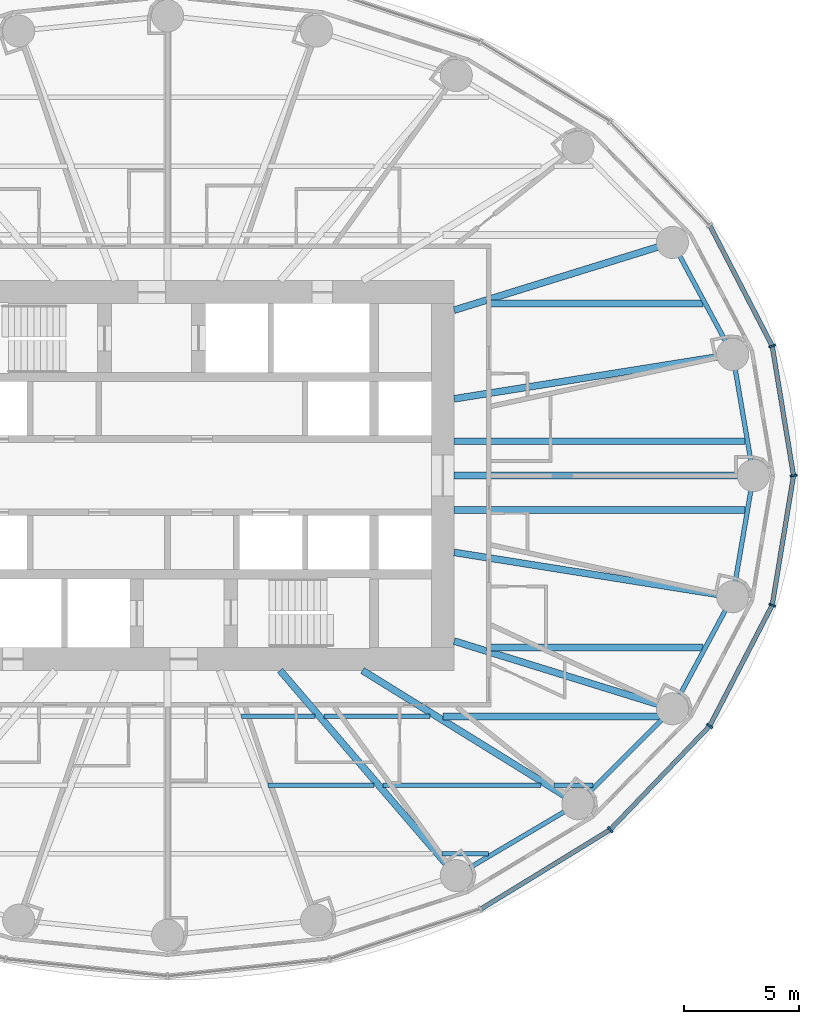
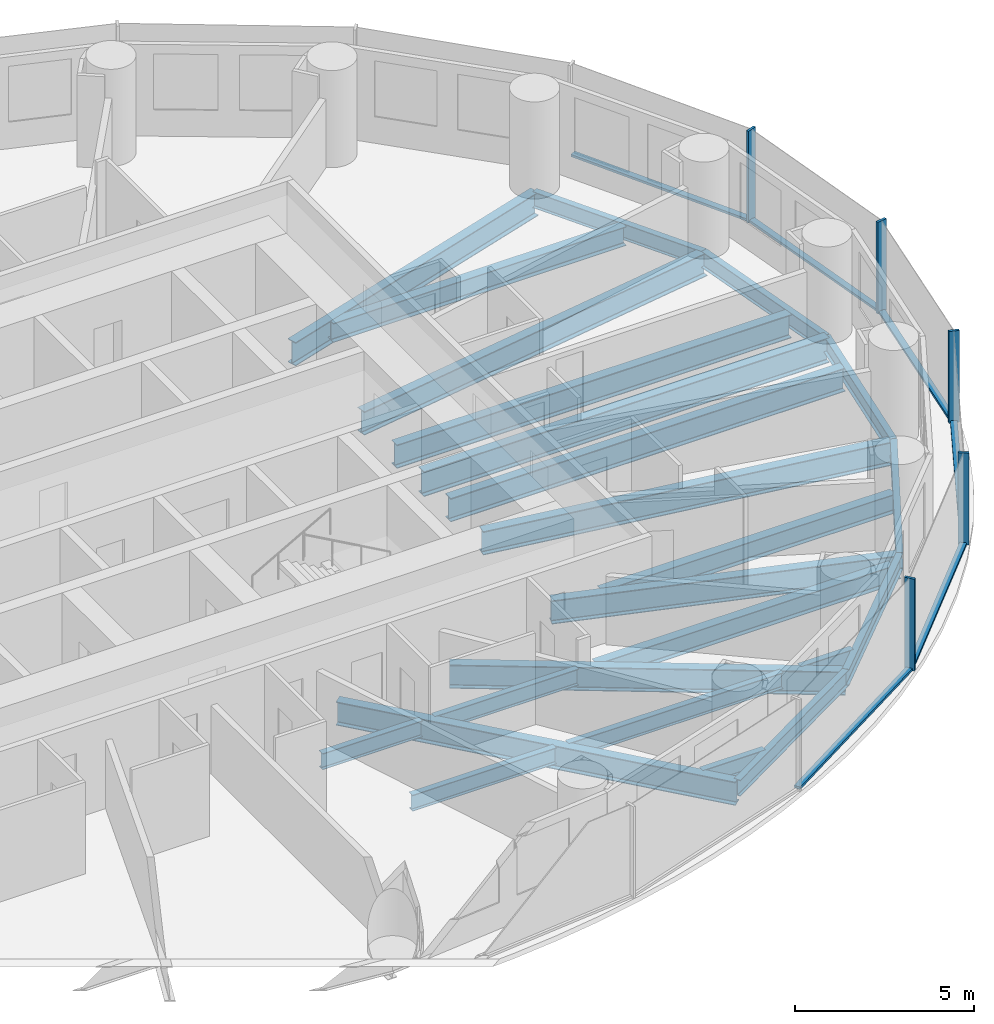
# One storey, part 3 of 14: 24 beams, 11 members, 2 elements without a shape of their own.
"""IFC4 building model written with IfcOpenShell, lengths in metres."""

from ifc_helpers import new_model, si_unit, direction, frame, origin, origin_2d, place, context, subcontext, project, spatial, rectangle, i_section, extrude, material, material_profile, profile_set, type_object, element, aggregate, save


model = new_model("IFC4")

# Units and contexts
model_context = context("Model", 3, precision=1e-05, world=origin(), true_north=direction((0.0, 1.0)))
body_context = subcontext(model_context, "Body", "Model", "MODEL_VIEW")
ifc_project = project(units=[si_unit("LENGTHUNIT", "METRE"), si_unit("AREAUNIT", "SQUARE_METRE"), si_unit("VOLUMEUNIT", "CUBIC_METRE"), si_unit("PLANEANGLEUNIT", "RADIAN"), si_unit("MASSUNIT", "GRAM", prefix="KILO")], contexts=[model_context])

# Site, building, storey
site_placement = place(None, origin())
site = spatial("IfcSite", under=ifc_project, at=site_placement, CompositionType="ELEMENT")
building_placement = place(site_placement, origin())
building = spatial("IfcBuilding", under=site, at=building_placement, Name="Hankou Lantern Tower", CompositionType="ELEMENT")
storey_placement = place(building_placement, frame((0.0, 0.0, 60.60009765625)))
storey = spatial("IfcBuildingStorey", under=building, at=storey_placement, Name="L14", CompositionType="ELEMENT", Elevation=60.60009765625)

# Beams
ifc_material_1 = material(Name="Steel Q355B", Category="steel")
ifc_material_profile_1 = material_profile(ifc_material_1, i_section(OverallWidth=0.199951171875, OverallDepth=0.550048828125, WebThickness=0.010009765625, FlangeThickness=0.01611328125, FilletRadius=0.012939453125, at=origin_2d()), Name="HN550x200x10x16")
ifc_profile_set_1 = profile_set([ifc_material_profile_1], Name="Steel Q355B")
beam_type_1 = type_object("IfcBeamType", Name="EB6 RING BEAM HN550x200x10x16", PredefinedType="SPANDREL", material=ifc_profile_set_1)
beam_1_placement = place(storey_placement, frame((25.550048828125, 0.0, -0.455078125), z_axis=(-0.168489691988, 0.985703415685, 0.0), x_axis=(-0.985703415685, -0.168489691988, 0.0)))
element("IfcBeam", 1, at=beam_1_placement, inside=storey, type_object=beam_type_1, Name="Ring beam R01-R02 L14", PredefinedType="SPANDREL", context=body_context, shape_type="SweptSolid", body=[
    extrude(i_section(OverallWidth=0.199951171875, OverallDepth=0.550048828125, WebThickness=0.010009765625, FlangeThickness=0.01611328125, FilletRadius=0.012939453125, at=origin_2d()), origin(), (0.0, 0.0, 1.0), 5.35986328125),
])
beam_2_placement = place(storey_placement, frame((24.64697265625, 5.283203125, -0.455078125), z_axis=(-0.473609096023, 0.880735161194, 0.0), x_axis=(-0.880735161194, -0.473609096023, 0.0)))
element("IfcBeam", 2, at=beam_2_placement, inside=storey, type_object=beam_type_1, Name="Ring beam R02-R03 L14", PredefinedType="SPANDREL", context=body_context, shape_type="SweptSolid", body=[
    extrude(i_section(OverallWidth=0.199951171875, OverallDepth=0.550048828125, WebThickness=0.010009765625, FlangeThickness=0.01611328125, FilletRadius=0.012939453125, at=origin_2d()), origin(), (0.0, 0.0, 1.0), 5.548828125),
])
beam_3_placement = place(storey_placement, frame((12.5908203125, -17.446533203125, -0.455078125), z_axis=(0.860881533543, 0.508805449268, 0.0), x_axis=(-0.508805449268, 0.860881533543, 0.0)))
element("IfcBeam", 3, at=beam_3_placement, inside=storey, type_object=beam_type_1, Name="Ring beam R21-R22 L14", PredefinedType="SPANDREL", context=body_context, shape_type="SweptSolid", body=[
    extrude(i_section(OverallWidth=0.199951171875, OverallDepth=0.550048828125, WebThickness=0.010009765625, FlangeThickness=0.01611328125, FilletRadius=0.012939453125, at=origin_2d()), origin(), (0.0, 0.0, 1.0), 6.15771484375),
])
beam_4_placement = place(storey_placement, frame((17.891845703125, -14.3134765625, -0.455078125), z_axis=(0.705727798394, 0.708483079949, 0.0), x_axis=(-0.708483079949, 0.705727798394, 0.0)))
element("IfcBeam", 4, at=beam_4_placement, inside=storey, type_object=beam_type_1, Name="Ring beam R22-R23 L14", PredefinedType="SPANDREL", context=body_context, shape_type="SweptSolid", body=[
    extrude(i_section(OverallWidth=0.199951171875, OverallDepth=0.550048828125, WebThickness=0.010009765625, FlangeThickness=0.01611328125, FilletRadius=0.012939453125, at=origin_2d()), origin(), (0.0, 0.0, 1.0), 5.84814453125),
])
beam_5_placement = place(storey_placement, frame((22.01904296875, -10.170166015625, -0.455078125), z_axis=(0.473609096023, 0.880735161194, 0.0), x_axis=(-0.880735161194, 0.473609096023, 0.0)))
element("IfcBeam", 5, at=beam_5_placement, inside=storey, type_object=beam_type_1, Name="Ring beam R23-R24 L14", PredefinedType="SPANDREL", context=body_context, shape_type="SweptSolid", body=[
    extrude(i_section(OverallWidth=0.199951171875, OverallDepth=0.550048828125, WebThickness=0.010009765625, FlangeThickness=0.01611328125, FilletRadius=0.012939453125, at=origin_2d()), origin(), (0.0, 0.0, 1.0), 5.548828125),
])
beam_6_placement = place(storey_placement, frame((24.64697265625, -5.283203125, -0.455078125), z_axis=(0.168489691988, 0.985703415685, 0.0), x_axis=(-0.985703415685, 0.168489691988, 0.0)))
element("IfcBeam", 6, at=beam_6_placement, inside=storey, type_object=beam_type_1, Name="Ring beam R24-R01 L14", PredefinedType="SPANDREL", context=body_context, shape_type="SweptSolid", body=[
    extrude(i_section(OverallWidth=0.199951171875, OverallDepth=0.550048828125, WebThickness=0.010009765625, FlangeThickness=0.01611328125, FilletRadius=0.012939453125, at=origin_2d()), origin(), (0.0, 0.0, 1.0), 5.35986328125),
])

# Curtain wall, members
ifc_material_2 = material(Name="Glass, dark grey tinted laminated", Category="glass")
curtain_wall_type = type_object("IfcCurtainWallType", Name="CWA OUTER SKIN LOW-RISE", PredefinedType="USERDEFINED", material=ifc_material_2)
curtain_wall_1_placement = place(storey_placement, origin())
curtain_wall_1 = element("IfcCurtainWall", 7, at=curtain_wall_1_placement, inside=storey, type_object=curtain_wall_type, Name="CWA L14 OS1", ObjectType="OUTER SKIN LOW-RISE", PredefinedType="USERDEFINED")
ifc_material_3 = material(Name="Aluminium, black anodised", Category="aluminium")
ifc_material_profile_2 = material_profile(ifc_material_3, rectangle(XDim=0.080078125, YDim=0.300048828125, at=origin_2d()), Name="MU1 80X300")
ifc_profile_set_2 = profile_set([ifc_material_profile_2], Name="Aluminium, black anodised")
member_type_1 = type_object("IfcMemberType", Name="MU1 OUTER SKIN MULLION 80X300", PredefinedType="MULLION", material=ifc_profile_set_2)
member_1_placement = place(storey_placement, frame((27.300048828125, 0.0, 0.0), z_axis=(0.0, 0.0, 1.0), x_axis=(-0.162381515188, 0.986728049427, 0.0)))
member_1 = element("IfcMember", 8, at=member_1_placement, type_object=member_type_1, Name="CWA mullion 1", PredefinedType="MULLION", context=body_context, shape_type="SweptSolid", body=[
    extrude(rectangle(XDim=0.080078125, YDim=0.300048828125, at=origin_2d()), origin(), (0.0, 0.0, 1.0), 3.119873046875),
])
member_2_placement = place(storey_placement, frame((26.369873046875, 5.652587890625, 0.0), z_axis=(0.0, 0.0, 1.0), x_axis=(-0.317595577365, 0.94822626479, 0.0)))
member_2 = element("IfcMember", 9, at=member_2_placement, type_object=member_type_1, Name="CWA mullion 2", PredefinedType="MULLION", context=body_context, shape_type="SweptSolid", body=[
    extrude(rectangle(XDim=0.080078125, YDim=0.300048828125, at=origin_2d()), origin(), (0.0, 0.0, 1.0), 3.119873046875),
])

curtain_wall_2_placement = place(storey_placement, origin())
curtain_wall_2 = element("IfcCurtainWall", 10, at=curtain_wall_2_placement, inside=storey, type_object=curtain_wall_type, Name="CWA L14 OS4", ObjectType="OUTER SKIN LOW-RISE", PredefinedType="USERDEFINED")
member_3_placement = place(storey_placement, frame((19.303955078125, -15.443115234375, 0.0), z_axis=(0.0, 0.0, 1.0), x_axis=(0.780868809444, 0.624695047553, 0.0)))
member_3 = element("IfcMember", 11, at=member_3_placement, type_object=member_type_1, Name="CWA mullion 4", PredefinedType="MULLION", context=body_context, shape_type="SweptSolid", body=[
    extrude(rectangle(XDim=0.080078125, YDim=0.300048828125, at=origin_2d()), origin(), (0.0, 0.0, 1.0), 3.119873046875),
])
member_4_placement = place(storey_placement, frame((23.642578125, -10.919921875, 0.0), z_axis=(0.0, 0.0, 1.0), x_axis=(0.585205735974, 0.810884854084, 0.0)))
member_4 = element("IfcMember", 12, at=member_4_placement, type_object=member_type_1, Name="CWA mullion 5", PredefinedType="MULLION", context=body_context, shape_type="SweptSolid", body=[
    extrude(rectangle(XDim=0.080078125, YDim=0.300048828125, at=origin_2d()), origin(), (0.0, 0.0, 1.0), 3.119873046875),
])
member_5_placement = place(storey_placement, frame((26.369873046875, -5.652587890625, 0.0), z_axis=(0.0, 0.0, 1.0), x_axis=(0.317595577365, 0.94822626479, 0.0)))
member_5 = element("IfcMember", 13, at=member_5_placement, type_object=member_type_1, Name="CWA mullion 6", PredefinedType="MULLION", context=body_context, shape_type="SweptSolid", body=[
    extrude(rectangle(XDim=0.080078125, YDim=0.300048828125, at=origin_2d()), origin(), (0.0, 0.0, 1.0), 3.119873046875),
])

# Beams
ifc_material_4 = material(Name="Steel Q355B", Category="steel")
ifc_material_profile_3 = material_profile(ifc_material_4, i_section(OverallWidth=0.300048828125, OverallDepth=0.800048828125, WebThickness=0.013916015625, FlangeThickness=0.02587890625, FilletRadius=0.01806640625, at=origin_2d()), Name="HN800x300x14x26")
ifc_profile_set_3 = profile_set([ifc_material_profile_3], Name="Steel Q355B")
beam_type_2 = type_object("IfcBeamType", Name="RB11 RADIAL BEAM HN800x300x14x26", PredefinedType="BEAM", material=ifc_profile_set_3)
beam_7_placement = place(storey_placement, frame((12.5, 3.349365234375, -0.580078125), z_axis=(0.987563081343, 0.157223281893, 0.0), x_axis=(-0.157223281893, 0.987563081343, 0.0)))
element("IfcBeam", 14, at=beam_7_placement, inside=storey, type_object=beam_type_2, Name="Radial beam R02 L14", PredefinedType="BEAM", context=body_context, shape_type="SweptSolid", body=[
    extrude(i_section(OverallWidth=0.300048828125, OverallDepth=0.800048828125, WebThickness=0.013916015625, FlangeThickness=0.02587890625, FilletRadius=0.01806640625, at=origin_2d()), origin(), (0.0, 0.0, 1.0), 12.300048828125),
])
beam_8_placement = place(storey_placement, frame((12.5, 7.216796875, -0.580078125), z_axis=(0.955087327755, 0.29632447817, 0.0), x_axis=(-0.29632447817, 0.955087327755, 0.0)))
element("IfcBeam", 15, at=beam_8_placement, inside=storey, type_object=beam_type_2, Name="Radial beam R03 L14", PredefinedType="BEAM", context=body_context, shape_type="SweptSolid", body=[
    extrude(i_section(OverallWidth=0.300048828125, OverallDepth=0.800048828125, WebThickness=0.013916015625, FlangeThickness=0.02587890625, FilletRadius=0.01806640625, at=origin_2d()), origin(), (0.0, 0.0, 1.0), 9.966552734375),
])
beam_9_placement = place(storey_placement, frame((4.907470703125, -8.5, -0.580078125), z_axis=(0.651519061225, -0.758632264579, 0.0), x_axis=(0.758632264579, 0.651519061225, 0.0)))
element("IfcBeam", 16, at=beam_9_placement, inside=storey, type_object=beam_type_2, Name="Radial beam R21 L14", PredefinedType="BEAM", context=body_context, shape_type="SweptSolid", body=[
    extrude(i_section(OverallWidth=0.300048828125, OverallDepth=0.800048828125, WebThickness=0.013916015625, FlangeThickness=0.02587890625, FilletRadius=0.01806640625, at=origin_2d()), origin(), (0.0, 0.0, 1.0), 11.79296875),
])
beam_10_placement = place(storey_placement, frame((8.5, -8.5, -0.580078125), z_axis=(0.850286343288, -0.526320372414, 0.0), x_axis=(0.526320372414, 0.850286343288, 0.0)))
element("IfcBeam", 17, at=beam_10_placement, inside=storey, type_object=beam_type_2, Name="Radial beam R22 L14", PredefinedType="BEAM", context=body_context, shape_type="SweptSolid", body=[
    extrude(i_section(OverallWidth=0.300048828125, OverallDepth=0.800048828125, WebThickness=0.013916015625, FlangeThickness=0.02587890625, FilletRadius=0.01806640625, at=origin_2d()), origin(), (0.0, 0.0, 1.0), 11.04541015625),
])
beam_11_placement = place(storey_placement, frame((12.5, -7.216796875, -0.580078125), z_axis=(0.955087327755, -0.29632447817, 0.0), x_axis=(0.29632447817, 0.955087327755, 0.0)))
element("IfcBeam", 18, at=beam_11_placement, inside=storey, type_object=beam_type_2, Name="Radial beam R23 L14", PredefinedType="BEAM", context=body_context, shape_type="SweptSolid", body=[
    extrude(i_section(OverallWidth=0.300048828125, OverallDepth=0.800048828125, WebThickness=0.013916015625, FlangeThickness=0.02587890625, FilletRadius=0.01806640625, at=origin_2d()), origin(), (0.0, 0.0, 1.0), 9.966552734375),
])
beam_12_placement = place(storey_placement, frame((12.5, -3.349365234375, -0.580078125), z_axis=(0.987563081343, -0.157223281893, 0.0), x_axis=(0.157223281893, 0.987563081343, 0.0)))
element("IfcBeam", 19, at=beam_12_placement, inside=storey, type_object=beam_type_2, Name="Radial beam R24 L14", PredefinedType="BEAM", context=body_context, shape_type="SweptSolid", body=[
    extrude(i_section(OverallWidth=0.300048828125, OverallDepth=0.800048828125, WebThickness=0.013916015625, FlangeThickness=0.02587890625, FilletRadius=0.01806640625, at=origin_2d()), origin(), (0.0, 0.0, 1.0), 12.300048828125),
])
ifc_material_5 = material(Name="Steel Q355B", Category="steel")
ifc_material_profile_4 = material_profile(ifc_material_5, i_section(OverallWidth=0.300048828125, OverallDepth=0.85009765625, WebThickness=0.01611328125, FlangeThickness=0.027099609375, FilletRadius=0.01806640625, at=origin_2d()), Name="HN850x300x16x27")
ifc_profile_set_4 = profile_set([ifc_material_profile_4], Name="Steel Q355B")
beam_type_3 = type_object("IfcBeamType", Name="RB12 RADIAL BEAM HN850x300x16x27", PredefinedType="BEAM", material=ifc_profile_set_4)
beam_13_placement = place(storey_placement, frame((12.5, 0.0, -0.60498046875), z_axis=(1.0, 0.0, 0.0), x_axis=(0.0, 1.0, 0.0)))
element("IfcBeam", 20, at=beam_13_placement, inside=storey, type_object=beam_type_3, Name="Radial beam R01 L14", PredefinedType="BEAM", context=body_context, shape_type="SweptSolid", body=[
    extrude(i_section(OverallWidth=0.300048828125, OverallDepth=0.85009765625, WebThickness=0.01611328125, FlangeThickness=0.027099609375, FilletRadius=0.01806640625, at=origin_2d()), origin(), (0.0, 0.0, 1.0), 13.050048828125),
])
ifc_material_6 = material(Name="Steel Q355B", Category="steel")
ifc_material_profile_5 = material_profile(ifc_material_6, i_section(OverallWidth=0.300048828125, OverallDepth=0.800048828125, WebThickness=0.013916015625, FlangeThickness=0.02587890625, FilletRadius=0.01806640625, at=origin_2d()), Name="HN800x300x14x26")
ifc_profile_set_5 = profile_set([ifc_material_profile_5], Name="Steel Q355B")
beam_type_4 = type_object("IfcBeamType", Name="SB11 SECONDARY BEAM HN800x300x14x26", PredefinedType="JOIST", material=ifc_profile_set_5)
for number, where, z_axis, x_axis, name in (
    (21, (12.5, -1.5, -0.580078125), (1.0, 0.0, 0.0), (0.0, 1.0, 0.0), "Floor joist J030 L14"),
    (22, (12.5, 1.5, -0.580078125), (1.0, 0.0, 0.0), (0.0, 1.0, 0.0), "Floor joist J032 L14"),
):
    element("IfcBeam", number, at=place(storey_placement, frame(where, z_axis=z_axis, x_axis=x_axis)), inside=storey, type_object=beam_type_4, Name=name, PredefinedType="JOIST", context=body_context, shape_type="SweptSolid", body=[
        extrude(i_section(OverallWidth=0.300048828125, OverallDepth=0.800048828125, WebThickness=0.013916015625, FlangeThickness=0.02587890625, FilletRadius=0.01806640625, at=origin_2d()), origin(), (0.0, 0.0, 1.0), 12.692138671875),
    ])
ifc_material_7 = material(Name="Steel Q355B", Category="steel")
ifc_material_profile_6 = material_profile(ifc_material_7, i_section(OverallWidth=0.199951171875, OverallDepth=0.550048828125, WebThickness=0.010009765625, FlangeThickness=0.01611328125, FilletRadius=0.012939453125, at=origin_2d()), Name="HN550x200x10x16")
ifc_profile_set_6 = profile_set([ifc_material_profile_6], Name="Steel Q355B")
beam_type_5 = type_object("IfcBeamType", Name="SB6 SECONDARY BEAM HN550x200x10x16", PredefinedType="JOIST", material=ifc_profile_set_6)
beam_14_placement = place(storey_placement, frame((11.975830078125, -16.5, -0.455078125), z_axis=(1.0, 0.0, 0.0), x_axis=(0.0, 1.0, 0.0)))
element("IfcBeam", 23, at=beam_14_placement, inside=storey, type_object=beam_type_5, Name="Floor joist J006 L14", PredefinedType="JOIST", context=body_context, shape_type="SweptSolid", body=[
    extrude(i_section(OverallWidth=0.199951171875, OverallDepth=0.550048828125, WebThickness=0.010009765625, FlangeThickness=0.01611328125, FilletRadius=0.012939453125, at=origin_2d()), origin(), (0.0, 0.0, 1.0), 2.019775390625),
])
beam_15_placement = place(storey_placement, frame((4.37451171875, -13.5, -0.455078125), z_axis=(1.0, 0.0, 0.0), x_axis=(0.0, 1.0, 0.0)))
element("IfcBeam", 24, at=beam_15_placement, inside=storey, type_object=beam_type_5, Name="Floor joist J012 L14", PredefinedType="JOIST", context=body_context, shape_type="SweptSolid", body=[
    extrude(i_section(OverallWidth=0.199951171875, OverallDepth=0.550048828125, WebThickness=0.010009765625, FlangeThickness=0.01611328125, FilletRadius=0.012939453125, at=origin_2d()), origin(), (0.0, 0.0, 1.0), 4.62939453125),
])
beam_16_placement = place(storey_placement, frame((9.3994140625, -13.5, -0.455078125), z_axis=(1.0, 0.0, 0.0), x_axis=(0.0, 1.0, 0.0)))
element("IfcBeam", 25, at=beam_16_placement, inside=storey, type_object=beam_type_5, Name="Floor joist J013 L14", PredefinedType="JOIST", context=body_context, shape_type="SweptSolid", body=[
    extrude(i_section(OverallWidth=0.199951171875, OverallDepth=0.550048828125, WebThickness=0.010009765625, FlangeThickness=0.01611328125, FilletRadius=0.012939453125, at=origin_2d()), origin(), (0.0, 0.0, 1.0), 6.893310546875),
])
beam_17_placement = place(storey_placement, frame((16.86279296875, -13.5, -0.455078125), z_axis=(1.0, 0.0, 0.0), x_axis=(0.0, 1.0, 0.0)))
element("IfcBeam", 26, at=beam_17_placement, inside=storey, type_object=beam_type_5, Name="Floor joist J014 L14", PredefinedType="JOIST", context=body_context, shape_type="SweptSolid", body=[
    extrude(i_section(OverallWidth=0.199951171875, OverallDepth=0.550048828125, WebThickness=0.010009765625, FlangeThickness=0.01611328125, FilletRadius=0.012939453125, at=origin_2d()), origin(), (0.0, 0.0, 1.0), 1.697998046875),
])
beam_18_placement = place(storey_placement, frame((3.212890625, -10.5, -0.455078125), z_axis=(1.0, 0.0, 0.0), x_axis=(0.0, 1.0, 0.0)))
element("IfcBeam", 27, at=beam_18_placement, inside=storey, type_object=beam_type_5, Name="Floor joist J020 L14", PredefinedType="JOIST", context=body_context, shape_type="SweptSolid", body=[
    extrude(i_section(OverallWidth=0.199951171875, OverallDepth=0.550048828125, WebThickness=0.010009765625, FlangeThickness=0.01611328125, FilletRadius=0.012939453125, at=origin_2d()), origin(), (0.0, 0.0, 1.0), 3.214599609375),
])
beam_19_placement = place(storey_placement, frame((6.82275390625, -10.5, -0.455078125), z_axis=(1.0, 0.0, 0.0), x_axis=(0.0, 1.0, 0.0)))
element("IfcBeam", 28, at=beam_19_placement, inside=storey, type_object=beam_type_5, Name="Floor joist J021 L14", PredefinedType="JOIST", context=body_context, shape_type="SweptSolid", body=[
    extrude(i_section(OverallWidth=0.199951171875, OverallDepth=0.550048828125, WebThickness=0.010009765625, FlangeThickness=0.01611328125, FilletRadius=0.012939453125, at=origin_2d()), origin(), (0.0, 0.0, 1.0), 4.623291015625),
])
ifc_material_8 = material(Name="Steel Q355B", Category="steel")
ifc_material_profile_7 = material_profile(ifc_material_8, i_section(OverallWidth=0.300048828125, OverallDepth=0.64990234375, WebThickness=0.010986328125, FlangeThickness=0.01708984375, FilletRadius=0.01806640625, at=origin_2d()), Name="HN650x300x11x17")
ifc_profile_set_7 = profile_set([ifc_material_profile_7], Name="Steel Q355B")
beam_type_6 = type_object("IfcBeamType", Name="SB8 SECONDARY BEAM HN650x300x11x17", PredefinedType="JOIST", material=ifc_profile_set_7)
beam_20_placement = place(storey_placement, frame((12.01611328125, -10.5, -0.505126953125), z_axis=(1.0, 0.0, 0.0), x_axis=(0.0, 1.0, 0.0)))
element("IfcBeam", 29, at=beam_20_placement, inside=storey, type_object=beam_type_6, Name="Floor joist J022 L14", PredefinedType="JOIST", context=body_context, shape_type="SweptSolid", body=[
    extrude(i_section(OverallWidth=0.300048828125, OverallDepth=0.64990234375, WebThickness=0.010986328125, FlangeThickness=0.01708984375, FilletRadius=0.01806640625, at=origin_2d()), origin(), (0.0, 0.0, 1.0), 9.533203125),
])
for number, where, z_axis, x_axis, name in (
    (30, (13.918701171875, -7.5, -0.505126953125), (1.0, 0.0, 0.0), (0.0, 1.0, 0.0), "Floor joist J024 L14"),
    (31, (13.918701171875, 7.5, -0.505126953125), (1.0, 0.0, 0.0), (0.0, 1.0, 0.0), "Floor joist J038 L14"),
):
    element("IfcBeam", number, at=place(storey_placement, frame(where, z_axis=z_axis, x_axis=x_axis)), inside=storey, type_object=beam_type_6, Name=name, PredefinedType="JOIST", context=body_context, shape_type="SweptSolid", body=[
        extrude(i_section(OverallWidth=0.300048828125, OverallDepth=0.64990234375, WebThickness=0.010986328125, FlangeThickness=0.01708984375, FilletRadius=0.01806640625, at=origin_2d()), origin(), (0.0, 0.0, 1.0), 9.4228515625),
    ])

# Member
ifc_material_9 = material(Name="Aluminium, black anodised", Category="aluminium")
ifc_material_profile_8 = material_profile(ifc_material_9, rectangle(XDim=0.199951171875, YDim=0.080078125, at=origin_2d()), Name="TR1 200X80")
ifc_profile_set_8 = profile_set([ifc_material_profile_8], Name="Aluminium, black anodised")
member_type_2 = type_object("IfcMemberType", Name="TR1 OUTER SKIN TRANSOM 200X80", PredefinedType="USERDEFINED", material=ifc_profile_set_8)
member_6_placement = place(storey_placement, frame((27.29345703125, 0.03955078125, 0.039794921875), z_axis=(-0.162387045529, 0.986727139307, 0.0), x_axis=(-0.986727139307, -0.162387045529, 0.0)))
member_6 = element("IfcMember", 32, at=member_6_placement, type_object=member_type_2, Name="CWA transom 1", ObjectType="TRANSOM", PredefinedType="USERDEFINED", context=body_context, shape_type="SweptSolid", body=[
    extrude(rectangle(XDim=0.199951171875, YDim=0.080078125, at=origin_2d()), origin(), (0.0, 0.0, 1.0), 5.6484375),
])

member_7_placement = place(storey_placement, frame((26.351318359375, 5.688232421875, 0.039794921875), z_axis=(-0.459786096495, 0.888029698529, 0.0), x_axis=(-0.888029698529, -0.459786096495, 0.0)))
member_7 = element("IfcMember", 33, at=member_7_placement, type_object=member_type_2, Name="CWA transom 2", ObjectType="TRANSOM", PredefinedType="USERDEFINED", context=body_context, shape_type="SweptSolid", body=[
    extrude(rectangle(XDim=0.199951171875, YDim=0.080078125, at=origin_2d()), origin(), (0.0, 0.0, 1.0), 5.8515625),
])

aggregate(curtain_wall_1, [member_1, member_2, member_6, member_7])

member_8_placement = place(storey_placement, frame((13.68408203125, -18.89306640625, 0.039794921875), z_axis=(0.85223969557, 0.523151508929, 0.0), x_axis=(-0.523151508929, 0.85223969557, 0.0)))
member_8 = element("IfcMember", 34, at=member_8_placement, type_object=member_type_2, Name="CWA transom 3", ObjectType="TRANSOM", PredefinedType="USERDEFINED", context=body_context, shape_type="SweptSolid", body=[
    extrude(rectangle(XDim=0.199951171875, YDim=0.080078125, at=origin_2d()), origin(), (0.0, 0.0, 1.0), 6.554443359375),
])

member_9_placement = place(storey_placement, frame((19.331787109375, -15.414306640625, 0.039794921875), z_axis=(0.692215537374, 0.721690827029, 0.0), x_axis=(-0.721690827029, 0.692215537374, 0.0)))
member_9 = element("IfcMember", 35, at=member_9_placement, type_object=member_type_2, Name="CWA transom 4", ObjectType="TRANSOM", PredefinedType="USERDEFINED", context=body_context, shape_type="SweptSolid", body=[
    extrude(rectangle(XDim=0.199951171875, YDim=0.080078125, at=origin_2d()), origin(), (0.0, 0.0, 1.0), 6.187255859375),
])

member_10_placement = place(storey_placement, frame((23.660888671875, -10.884521484375, 0.039794921875), z_axis=(0.459786096495, 0.888029698529, 0.0), x_axis=(-0.888029698529, 0.459786096495, 0.0)))
member_10 = element("IfcMember", 36, at=member_10_placement, type_object=member_type_2, Name="CWA transom 5", ObjectType="TRANSOM", PredefinedType="USERDEFINED", context=body_context, shape_type="SweptSolid", body=[
    extrude(rectangle(XDim=0.199951171875, YDim=0.080078125, at=origin_2d()), origin(), (0.0, 0.0, 1.0), 5.8515625),
])

member_11_placement = place(storey_placement, frame((26.376220703125, -5.613037109375, 0.039794921875), z_axis=(0.162387045529, 0.986727139307, 0.0), x_axis=(-0.986727139307, 0.162387045529, 0.0)))
member_11 = element("IfcMember", 37, at=member_11_placement, type_object=member_type_2, Name="CWA transom 6", ObjectType="TRANSOM", PredefinedType="USERDEFINED", context=body_context, shape_type="SweptSolid", body=[
    extrude(rectangle(XDim=0.199951171875, YDim=0.080078125, at=origin_2d()), origin(), (0.0, 0.0, 1.0), 5.6484375),
])

aggregate(curtain_wall_2, [member_3, member_4, member_5, member_8, member_9, member_10, member_11])

save(model, "model.ifc")
